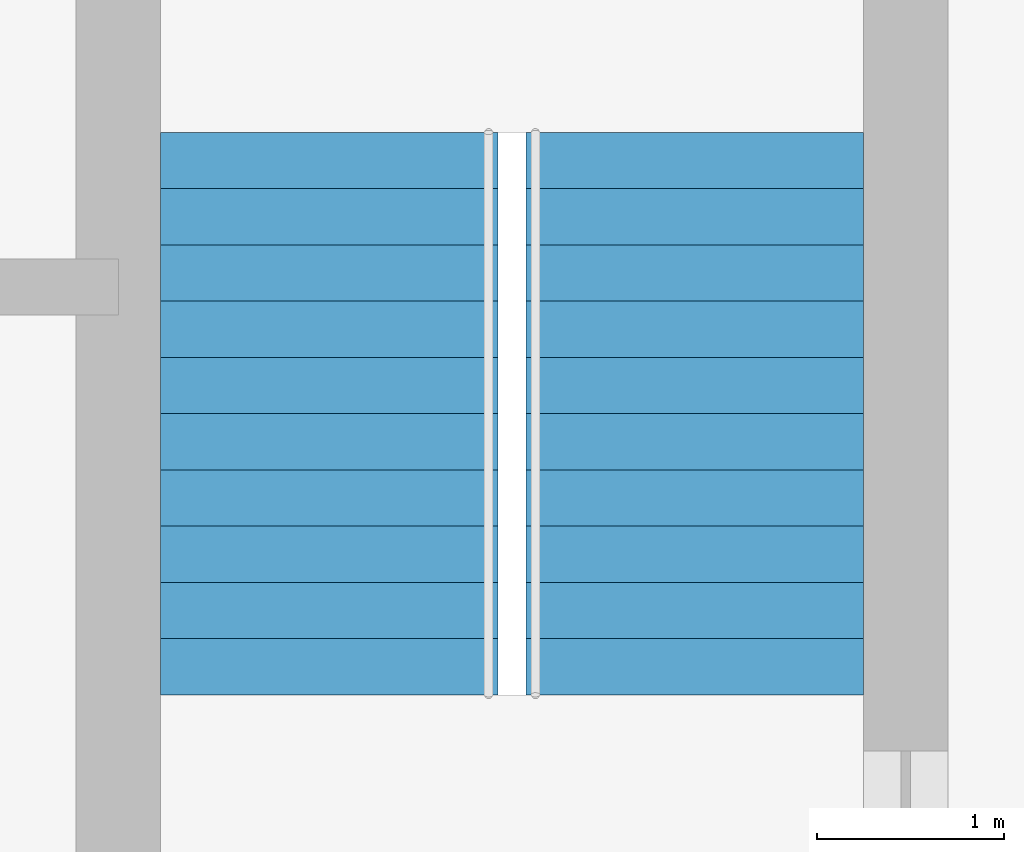
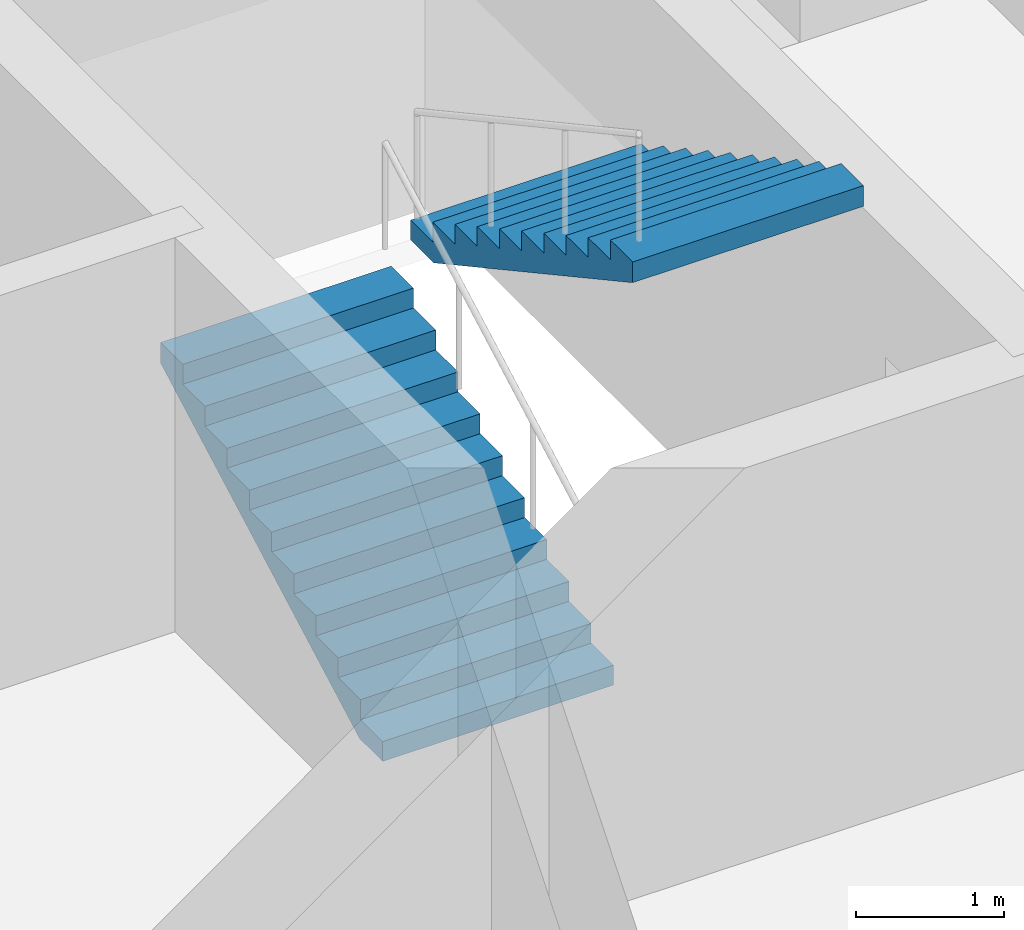
# One storey, part 16 of 17: 2 stair flights, 1 element without a shape of its own.
"""IFC4 building model written with IfcOpenShell, lengths in metres."""

from ifc_helpers import new_model, si_unit, direction, frame, origin, place, context, subcontext, project, spatial, polyline, outline, extrude, material, type_object, element, aggregate, save


model = new_model("IFC4")

# Units and contexts
model_context = context("Model", 3, precision=1e-05, world=origin(), true_north=direction((0.0, 1.0)))
body_context = subcontext(model_context, "Body", "Model", "MODEL_VIEW")
ifc_project = project(units=[si_unit("LENGTHUNIT", "METRE"), si_unit("AREAUNIT", "SQUARE_METRE"), si_unit("VOLUMEUNIT", "CUBIC_METRE"), si_unit("PLANEANGLEUNIT", "RADIAN"), si_unit("MASSUNIT", "GRAM", prefix="KILO")], contexts=[model_context])

# Site, building, storey
site_placement = place(None, origin())
site = spatial("IfcSite", under=ifc_project, at=site_placement, CompositionType="ELEMENT")
building_placement = place(site_placement, origin())
building = spatial("IfcBuilding", under=site, at=building_placement, Name="Dunama Terrace Hotel", CompositionType="ELEMENT")
storey_placement = place(building_placement, frame((0.0, 0.0, 66.60009765625)))
storey = spatial("IfcBuildingStorey", under=building, at=storey_placement, Name="L16", CompositionType="ELEMENT", Elevation=66.60009765625)

# Stair, stair flights
ifc_material_1 = material(Name="Concrete C40/50", Category="concrete")
stair_type = type_object("IfcStairType", Name="Stair ST1-3600-1800", PredefinedType="HALF_TURN_STAIR", material=ifc_material_1)
stair_placement = place(storey_placement, origin())
stair = element("IfcStair", 1, at=stair_placement, inside=storey, type_object=stair_type, Name="Stair ST1 L16", PredefinedType="HALF_TURN_STAIR")
ifc_material_2 = material(Name="Concrete C40/50", Category="concrete")
stair_flight_type = type_object("IfcStairFlightType", Name="Stair flight ST1-3600-1800", PredefinedType="STRAIGHT", material=ifc_material_2)
stair_flight_1_placement = place(storey_placement, frame((26.324951171875, 35.625, 0.0), z_axis=(0.0, 0.0, 1.0), x_axis=(0.0, 1.0, 0.0)))
stair_flight_1 = element("IfcStairFlight", 2, at=stair_flight_1_placement, type_object=stair_flight_type, Name="ST1 flight 1", NumberOfRisers=11, NumberOfTreads=10, PredefinedType="STRAIGHT", RiserHeight=0.163636364, TreadLength=0.3, context=body_context, shape_type="SweptSolid", body=[
    extrude(outline(polyline([(0.0, 0.0), (0.0, 0.16357421875), (0.300048828125, 0.16357421875), (0.300048828125, 0.327392578125), (0.60009765625, 0.327392578125), (0.60009765625, 0.490966796875), (0.89990234375, 0.490966796875), (0.89990234375, 0.654541015625), (1.199951171875, 0.654541015625), (1.199951171875, 0.818115234375), (1.5, 0.818115234375), (1.5, 0.98193359375), (1.800048828125, 0.98193359375), (1.800048828125, 1.1455078125), (2.10009765625, 1.1455078125), (2.10009765625, 1.30908203125), (2.39990234375, 1.30908203125), (2.39990234375, 1.47265625), (2.699951171875, 1.47265625), (2.699951171875, 1.636474609375), (3.0, 1.636474609375), (3.0, 1.800048828125), (3.0, 1.465576171875), (0.31298828125, 0.0), (0.0, 0.0)])), frame((0.0, 0.89990234375, 0.0), z_axis=(0.0, -1.0, 0.0), x_axis=(1.0, 0.0, 0.0)), (0.0, 0.0, 1.0), 1.800048828125),
])
stair_flight_2_placement = place(storey_placement, frame((28.27490234375, 38.625, 1.7998046875), z_axis=(0.0, 0.0, 1.0), x_axis=(0.0, -1.0, 0.0)))
stair_flight_2 = element("IfcStairFlight", 3, at=stair_flight_2_placement, type_object=stair_flight_type, Name="ST1 flight 2", NumberOfRisers=11, NumberOfTreads=10, PredefinedType="STRAIGHT", RiserHeight=0.163636364, TreadLength=0.3, context=body_context, shape_type="SweptSolid", body=[
    extrude(outline(polyline([(0.0, 0.0), (0.0, 0.16357421875), (0.300048828125, 0.16357421875), (0.300048828125, 0.327392578125), (0.60009765625, 0.327392578125), (0.60009765625, 0.490966796875), (0.89990234375, 0.490966796875), (0.89990234375, 0.654541015625), (1.199951171875, 0.654541015625), (1.199951171875, 0.818115234375), (1.5, 0.818115234375), (1.5, 0.98193359375), (1.800048828125, 0.98193359375), (1.800048828125, 1.1455078125), (2.10009765625, 1.1455078125), (2.10009765625, 1.30908203125), (2.39990234375, 1.30908203125), (2.39990234375, 1.47265625), (2.699951171875, 1.47265625), (2.699951171875, 1.636474609375), (3.0, 1.636474609375), (3.0, 1.800048828125), (3.0, 1.465576171875), (0.31298828125, 0.0), (0.0, 0.0)])), frame((0.0, 0.89990234375, 0.0), z_axis=(0.0, -1.0, 0.0), x_axis=(1.0, 0.0, 0.0)), (0.0, 0.0, 1.0), 1.800048828125),
])
aggregate(stair, [stair_flight_1, stair_flight_2])

save(model, "model.ifc")
